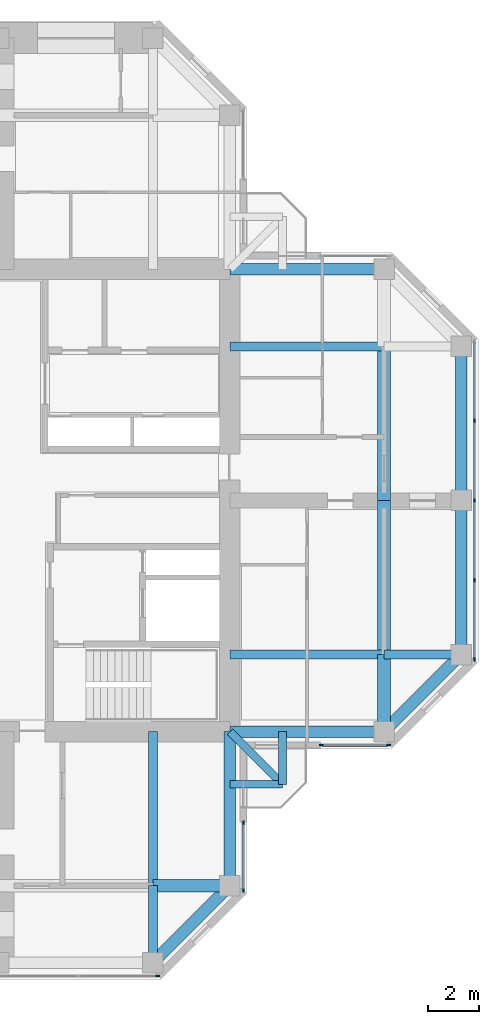
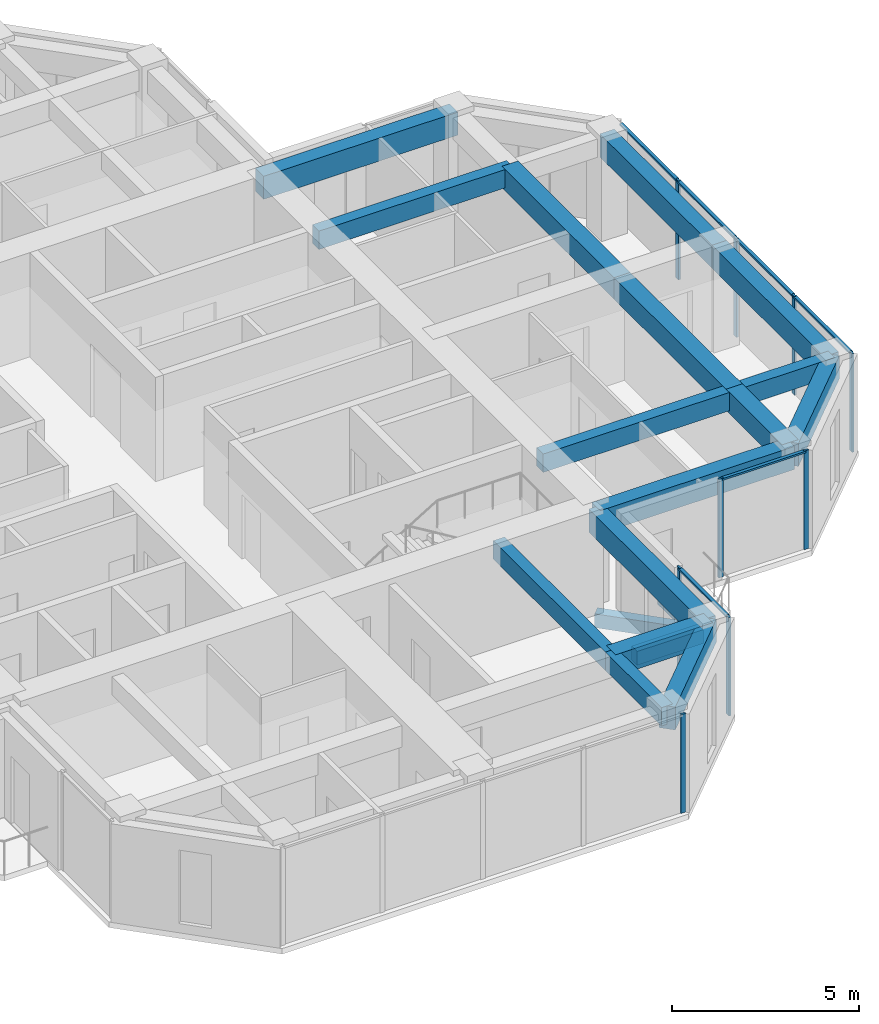
# One storey, part 5 of 13: 19 beams, 15 members, 4 elements without a shape of their own.
"""IFC4 building model written with IfcOpenShell, lengths in metres."""

from ifc_helpers import new_model, si_unit, direction, frame, origin, origin_2d, place, context, subcontext, project, spatial, rectangle, extrude, material, material_profile, profile_set, type_object, element, aggregate, save


model = new_model("IFC4")

# Units and contexts
model_context = context("Model", 3, precision=1e-05, world=origin(), true_north=direction((0.0, 1.0)))
body_context = subcontext(model_context, "Body", "Model", "MODEL_VIEW")
ifc_project = project(units=[si_unit("LENGTHUNIT", "METRE"), si_unit("AREAUNIT", "SQUARE_METRE"), si_unit("VOLUMEUNIT", "CUBIC_METRE"), si_unit("PLANEANGLEUNIT", "RADIAN"), si_unit("MASSUNIT", "GRAM", prefix="KILO")], contexts=[model_context])

# Site, building, storey
site_placement = place(None, origin())
site = spatial("IfcSite", under=ifc_project, at=site_placement, CompositionType="ELEMENT")
building_placement = place(site_placement, origin())
building = spatial("IfcBuilding", under=site, at=building_placement, Name="Torre Cruceta", CompositionType="ELEMENT")
storey_placement = place(building_placement, frame((0.0, 0.0, 242.5)))
storey = spatial("IfcBuildingStorey", under=building, at=storey_placement, Name="L62", CompositionType="ELEMENT", Elevation=242.5)

# Beams
ifc_material_1 = material(Name="Concrete G60 (fck 60 MPa)", Category="concrete")
ifc_material_profile_1 = material_profile(ifc_material_1, rectangle(XDim=0.300048828125, YDim=0.449951171875, at=origin_2d()), Name="RC 300X450")
ifc_profile_set_1 = profile_set([ifc_material_profile_1], Name="Concrete G60 (fck 60 MPa)")
beam_type_1 = type_object("IfcBeamType", Name="BALCONY CANTILEVER BEAM RC 300X450", PredefinedType="BEAM", material=ifc_profile_set_1)
beam_1_placement = place(storey_placement, frame((9.0, -9.0, -0.405029296875), z_axis=(0.707106781187, -0.707106781187, 0.0), x_axis=(0.707106781187, 0.707106781187, 0.0)))
element("IfcBeam", 1, at=beam_1_placement, inside=storey, type_object=beam_type_1, Name="BB1 balcony beam L62 S", PredefinedType="BEAM", context=body_context, shape_type="SweptSolid", body=[
    extrude(rectangle(XDim=0.300048828125, YDim=0.449951171875, at=origin_2d()), origin(), (0.0, 0.0, 1.0), 2.89990234375),
])
for number, where, z_axis, x_axis, name in (
    (2, (11.050537109375, -9.0, -0.405029296875), (0.0, -1.0, 0.0), (1.0, 0.0, 0.0), "BB1 balcony edge beam L62 S-X"),
    (3, (9.0, -11.050537109375, -0.405029296875), (1.0, 0.0, 0.0), (0.0, 1.0, 0.0), "BB1 balcony edge beam L62 S-Y"),
):
    element("IfcBeam", number, at=place(storey_placement, frame(where, z_axis=z_axis, x_axis=x_axis)), inside=storey, type_object=beam_type_1, Name=name, PredefinedType="BEAM", context=body_context, shape_type="SweptSolid", body=[
        extrude(rectangle(XDim=0.300048828125, YDim=0.449951171875, at=origin_2d()), origin(), (0.0, 0.0, 1.0), 2.050537109375),
    ])
ifc_material_2 = material(Name="Concrete G60 (fck 60 MPa)", Category="concrete")
ifc_material_profile_2 = material_profile(ifc_material_2, rectangle(XDim=0.35009765625, YDim=0.60009765625, at=origin_2d()), Name="RC 350X600")
ifc_profile_set_2 = profile_set([ifc_material_profile_2], Name="Concrete G60 (fck 60 MPa)")
beam_type_2 = type_object("IfcBeamType", Name="COLUMN LINE BEAM RC 350X600", PredefinedType="BEAM", material=ifc_profile_set_2)
beam_2_placement = place(storey_placement, frame((9.0, -6.0, 2.919921875), z_axis=(1.0, 0.0, 0.0), x_axis=(0.0, 1.0, 0.0)))
element("IfcBeam", 4, at=beam_2_placement, inside=storey, type_object=beam_type_2, Name="LB9 L62 E col- 1", PredefinedType="BEAM", context=body_context, shape_type="SweptSolid", body=[
    extrude(rectangle(XDim=0.35009765625, YDim=0.60009765625, at=origin_2d()), origin(), (0.0, 0.0, 1.0), 6.0),
])
beam_3_placement = place(storey_placement, frame((15.0, -6.0, 2.919921875), z_axis=(1.0, 0.0, 0.0), x_axis=(0.0, 1.0, 0.0)))
element("IfcBeam", 5, at=beam_3_placement, inside=storey, type_object=beam_type_2, Name="LB9 L62 E col- 2", PredefinedType="BEAM", context=body_context, shape_type="SweptSolid", body=[
    extrude(rectangle(XDim=0.35009765625, YDim=0.60009765625, at=origin_2d()), origin(), (0.0, 0.0, 1.0), 3.0),
])
for number, where, z_axis, x_axis, name in (
    (6, (9.0, 6.0, 2.919921875), (1.0, 0.0, 0.0), (0.0, 1.0, 0.0), "LB9 L62 E col+ 1"),
    (7, (6.0, -9.0, 2.919921875), (0.0, -1.0, 0.0), (1.0, 0.0, 0.0), "LB9 L62 S col+ 1"),
):
    element("IfcBeam", number, at=place(storey_placement, frame(where, z_axis=z_axis, x_axis=x_axis)), inside=storey, type_object=beam_type_2, Name=name, PredefinedType="BEAM", context=body_context, shape_type="SweptSolid", body=[
        extrude(rectangle(XDim=0.35009765625, YDim=0.60009765625, at=origin_2d()), origin(), (0.0, 0.0, 1.0), 6.0),
    ])
beam_4_placement = place(storey_placement, frame((6.0, -15.0, 2.919921875), z_axis=(0.0, -1.0, 0.0), x_axis=(1.0, 0.0, 0.0)))
element("IfcBeam", 8, at=beam_4_placement, inside=storey, type_object=beam_type_2, Name="LB9 L62 S col+ 2", PredefinedType="BEAM", context=body_context, shape_type="SweptSolid", body=[
    extrude(rectangle(XDim=0.35009765625, YDim=0.60009765625, at=origin_2d()), origin(), (0.0, 0.0, 1.0), 3.0),
])
ifc_material_3 = material(Name="Concrete G60 (fck 60 MPa)", Category="concrete")
ifc_material_profile_3 = material_profile(ifc_material_3, rectangle(XDim=0.5, YDim=0.699951171875, at=origin_2d()), Name="RC 500X700")
ifc_profile_set_3 = profile_set([ifc_material_profile_3], Name="Concrete G60 (fck 60 MPa)")
beam_type_3 = type_object("IfcBeamType", Name="CROSS BEAM RC 500X700", PredefinedType="BEAM", material=ifc_profile_set_3)
beam_5_placement = place(storey_placement, frame((15.0, -9.0, 2.8701171875), z_axis=(0.0, 1.0, 0.0), x_axis=(-1.0, 0.0, 0.0)))
element("IfcBeam", 9, at=beam_5_placement, inside=storey, type_object=beam_type_3, Name="GB7 L62 E cross15 1", PredefinedType="BEAM", context=body_context, shape_type="SweptSolid", body=[
    extrude(rectangle(XDim=0.5, YDim=0.699951171875, at=origin_2d()), origin(), (0.0, 0.0, 1.0), 3.0),
])
for number, where, z_axis, x_axis, name in (
    (10, (15.0, -6.0, 2.8701171875), (0.0, 1.0, 0.0), (-1.0, 0.0, 0.0), "GB7 L62 E cross15 2"),
    (11, (15.0, 0.0, 2.8701171875), (0.0, 1.0, 0.0), (-1.0, 0.0, 0.0), "GB7 L62 E cross15 3"),
):
    element("IfcBeam", number, at=place(storey_placement, frame(where, z_axis=z_axis, x_axis=x_axis)), inside=storey, type_object=beam_type_3, Name=name, PredefinedType="BEAM", context=body_context, shape_type="SweptSolid", body=[
        extrude(rectangle(XDim=0.5, YDim=0.699951171875, at=origin_2d()), origin(), (0.0, 0.0, 1.0), 6.0),
    ])
beam_6_placement = place(storey_placement, frame((6.0, -15.0, 2.8701171875), z_axis=(1.0, 0.0, 0.0), x_axis=(0.0, 1.0, 0.0)))
element("IfcBeam", 12, at=beam_6_placement, inside=storey, type_object=beam_type_3, Name="GB7 L62 S cross15 4", PredefinedType="BEAM", context=body_context, shape_type="SweptSolid", body=[
    extrude(rectangle(XDim=0.5, YDim=0.699951171875, at=origin_2d()), origin(), (0.0, 0.0, 1.0), 3.0),
])

# Curtain wall, members
ifc_material_4 = material(Name="Aluminium unitised curtain wall", Category="aluminium")
curtain_wall_type = type_object("IfcCurtainWallType", Name="CURTAIN WALL CW-D CO-LIVING UPPER", PredefinedType="USERDEFINED", material=ifc_material_4)
curtain_wall_1_placement = place(storey_placement, origin())
curtain_wall_1 = element("IfcCurtainWall", 13, at=curtain_wall_1_placement, inside=storey, type_object=curtain_wall_type, Name="CW-D L62 E side 00", ObjectType="UNITISED", PredefinedType="USERDEFINED")
ifc_material_5 = material(Name="Aluminium mullion", Category="aluminium")
ifc_material_profile_4 = material_profile(ifc_material_5, rectangle(XDim=0.06005859375, YDim=0.14990234375, at=origin_2d()), Name="AL 60X150")
ifc_profile_set_4 = profile_set([ifc_material_profile_4], Name="Aluminium mullion")
member_type_1 = type_object("IfcMemberType", Name="CW-D MULLION 60X150", PredefinedType="MULLION", material=ifc_profile_set_4)
member_1_placement = place(storey_placement, frame((12.550048828125, -9.52001953125, 0.0), z_axis=(0.0, 0.0, 1.0), x_axis=(0.0, 1.0, 0.0)))
member_1 = element("IfcMember", 14, at=member_1_placement, type_object=member_type_1, Name="CW-D mullion 1", PredefinedType="MULLION", context=body_context, shape_type="SweptSolid", body=[
    extrude(rectangle(XDim=0.06005859375, YDim=0.14990234375, at=origin_2d()), origin(), (0.0, 0.0, 1.0), 3.219970703125),
])
member_2_placement = place(storey_placement, frame((15.185302734375, -9.52001953125, 0.0), z_axis=(0.0, 0.0, 1.0), x_axis=(0.0, 1.0, 0.0)))
member_2 = element("IfcMember", 15, at=member_2_placement, type_object=member_type_1, Name="CW-D mullion 2", PredefinedType="MULLION", context=body_context, shape_type="SweptSolid", body=[
    extrude(rectangle(XDim=0.06005859375, YDim=0.14990234375, at=origin_2d()), origin(), (0.0, 0.0, 1.0), 3.219970703125),
])

curtain_wall_2_placement = place(storey_placement, origin())
curtain_wall_2 = element("IfcCurtainWall", 16, at=curtain_wall_2_placement, inside=storey, type_object=curtain_wall_type, Name="CW-D L62 E tip 02", ObjectType="UNITISED", PredefinedType="USERDEFINED")
member_3_placement = place(storey_placement, frame((18.52001953125, -6.185302734375, 0.0), z_axis=(0.0, 0.0, 1.0), x_axis=(-1.0, 0.0, 0.0)))
member_3 = element("IfcMember", 17, at=member_3_placement, type_object=member_type_1, Name="CW-D mullion 1", PredefinedType="MULLION", context=body_context, shape_type="SweptSolid", body=[
    extrude(rectangle(XDim=0.06005859375, YDim=0.14990234375, at=origin_2d()), origin(), (0.0, 0.0, 1.0), 3.219970703125),
])
member_4_placement = place(storey_placement, frame((18.52001953125, -3.107666015625, 0.0), z_axis=(0.0, 0.0, 1.0), x_axis=(-1.0, 0.0, 0.0)))
member_4 = element("IfcMember", 18, at=member_4_placement, type_object=member_type_1, Name="CW-D mullion 2", PredefinedType="MULLION", context=body_context, shape_type="SweptSolid", body=[
    extrude(rectangle(XDim=0.06005859375, YDim=0.14990234375, at=origin_2d()), origin(), (0.0, 0.0, 1.0), 3.219970703125),
])
member_5_placement = place(storey_placement, frame((18.52001953125, 0.0, 0.0), z_axis=(0.0, 0.0, 1.0), x_axis=(-1.0, 0.0, 0.0)))
member_5 = element("IfcMember", 19, at=member_5_placement, type_object=member_type_1, Name="CW-D mullion 3", PredefinedType="MULLION", context=body_context, shape_type="SweptSolid", body=[
    extrude(rectangle(XDim=0.06005859375, YDim=0.14990234375, at=origin_2d()), origin(), (0.0, 0.0, 1.0), 3.219970703125),
])
member_6_placement = place(storey_placement, frame((18.52001953125, 3.107666015625, 0.0), z_axis=(0.0, 0.0, 1.0), x_axis=(-1.0, 0.0, 0.0)))
member_6 = element("IfcMember", 20, at=member_6_placement, type_object=member_type_1, Name="CW-D mullion 4", PredefinedType="MULLION", context=body_context, shape_type="SweptSolid", body=[
    extrude(rectangle(XDim=0.06005859375, YDim=0.14990234375, at=origin_2d()), origin(), (0.0, 0.0, 1.0), 3.219970703125),
])

# Curtain wall, member
curtain_wall_3_placement = place(storey_placement, origin())
curtain_wall_3 = element("IfcCurtainWall", 21, at=curtain_wall_3_placement, inside=storey, type_object=curtain_wall_type, Name="CW-D L62 S tip 17", ObjectType="UNITISED", PredefinedType="USERDEFINED")
member_7_placement = place(storey_placement, frame((6.185302734375, -18.52001953125, 0.0), z_axis=(0.0, 0.0, 1.0), x_axis=(0.0, 1.0, 0.0)))
member_7 = element("IfcMember", 22, at=member_7_placement, type_object=member_type_1, Name="CW-D mullion 5", PredefinedType="MULLION", context=body_context, shape_type="SweptSolid", body=[
    extrude(rectangle(XDim=0.06005859375, YDim=0.14990234375, at=origin_2d()), origin(), (0.0, 0.0, 1.0), 3.219970703125),
])
aggregate(curtain_wall_3, [member_7])

# Curtain wall, members
curtain_wall_4_placement = place(storey_placement, origin())
curtain_wall_4 = element("IfcCurtainWall", 23, at=curtain_wall_4_placement, inside=storey, type_object=curtain_wall_type, Name="CW-D L62 S side 19", ObjectType="UNITISED", PredefinedType="USERDEFINED")
member_8_placement = place(storey_placement, frame((9.52001953125, -15.185302734375, 0.0), z_axis=(0.0, 0.0, 1.0), x_axis=(-1.0, 0.0, 0.0)))
member_8 = element("IfcMember", 24, at=member_8_placement, type_object=member_type_1, Name="CW-D mullion 1", PredefinedType="MULLION", context=body_context, shape_type="SweptSolid", body=[
    extrude(rectangle(XDim=0.06005859375, YDim=0.14990234375, at=origin_2d()), origin(), (0.0, 0.0, 1.0), 3.219970703125),
])
member_9_placement = place(storey_placement, frame((9.52001953125, -12.550048828125, 0.0), z_axis=(0.0, 0.0, 1.0), x_axis=(-1.0, 0.0, 0.0)))
member_9 = element("IfcMember", 25, at=member_9_placement, type_object=member_type_1, Name="CW-D mullion 2", PredefinedType="MULLION", context=body_context, shape_type="SweptSolid", body=[
    extrude(rectangle(XDim=0.06005859375, YDim=0.14990234375, at=origin_2d()), origin(), (0.0, 0.0, 1.0), 3.219970703125),
])

# Member
ifc_material_6 = material(Name="Aluminium transom", Category="aluminium")
ifc_material_profile_5 = material_profile(ifc_material_6, rectangle(XDim=0.10009765625, YDim=0.06005859375, at=origin_2d()), Name="AL 100X60")
ifc_profile_set_5 = profile_set([ifc_material_profile_5], Name="Aluminium transom")
member_type_2 = type_object("IfcMemberType", Name="CW-D TRANSOM 60X100", PredefinedType="USERDEFINED", material=ifc_profile_set_5)
member_10_placement = place(storey_placement, frame((12.580078125, -9.52001953125, 3.18994140625), z_axis=(1.0, 0.0, 0.0), x_axis=(0.0, 1.0, 0.0)))
member_10 = element("IfcMember", 26, at=member_10_placement, type_object=member_type_2, Name="CW-D transom 1", ObjectType="TRANSOM", PredefinedType="USERDEFINED", context=body_context, shape_type="SweptSolid", body=[
    extrude(rectangle(XDim=0.10009765625, YDim=0.06005859375, at=origin_2d()), origin(), (0.0, 0.0, 1.0), 2.5751953125),
])

aggregate(curtain_wall_1, [member_1, member_2, member_10])

member_11_placement = place(storey_placement, frame((18.52001953125, -6.1552734375, 3.18994140625), z_axis=(0.0, 1.0, 0.0), x_axis=(-1.0, 0.0, 0.0)))
member_11 = element("IfcMember", 27, at=member_11_placement, type_object=member_type_2, Name="CW-D transom 1", ObjectType="TRANSOM", PredefinedType="USERDEFINED", context=body_context, shape_type="SweptSolid", body=[
    extrude(rectangle(XDim=0.10009765625, YDim=0.06005859375, at=origin_2d()), origin(), (0.0, 0.0, 1.0), 3.017578125),
])

member_12_placement = place(storey_placement, frame((18.52001953125, -3.07763671875, 3.18994140625), z_axis=(0.0, 1.0, 0.0), x_axis=(-1.0, 0.0, 0.0)))
member_12 = element("IfcMember", 28, at=member_12_placement, type_object=member_type_2, Name="CW-D transom 2", ObjectType="TRANSOM", PredefinedType="USERDEFINED", context=body_context, shape_type="SweptSolid", body=[
    extrude(rectangle(XDim=0.10009765625, YDim=0.06005859375, at=origin_2d()), origin(), (0.0, 0.0, 1.0), 3.047607421875),
])

member_13_placement = place(storey_placement, frame((18.52001953125, 0.030029296875, 3.18994140625), z_axis=(0.0, 1.0, 0.0), x_axis=(-1.0, 0.0, 0.0)))
member_13 = element("IfcMember", 29, at=member_13_placement, type_object=member_type_2, Name="CW-D transom 3", ObjectType="TRANSOM", PredefinedType="USERDEFINED", context=body_context, shape_type="SweptSolid", body=[
    extrude(rectangle(XDim=0.10009765625, YDim=0.06005859375, at=origin_2d()), origin(), (0.0, 0.0, 1.0), 3.047607421875),
])

member_14_placement = place(storey_placement, frame((18.52001953125, 3.1376953125, 3.18994140625), z_axis=(0.0, 1.0, 0.0), x_axis=(-1.0, 0.0, 0.0)))
member_14 = element("IfcMember", 30, at=member_14_placement, type_object=member_type_2, Name="CW-D transom 4", ObjectType="TRANSOM", PredefinedType="USERDEFINED", context=body_context, shape_type="SweptSolid", body=[
    extrude(rectangle(XDim=0.10009765625, YDim=0.06005859375, at=origin_2d()), origin(), (0.0, 0.0, 1.0), 3.017578125),
])

aggregate(curtain_wall_2, [member_3, member_4, member_5, member_6, member_11, member_12, member_13, member_14])

member_15_placement = place(storey_placement, frame((9.52001953125, -15.1552734375, 3.18994140625), z_axis=(0.0, 1.0, 0.0), x_axis=(-1.0, 0.0, 0.0)))
member_15 = element("IfcMember", 31, at=member_15_placement, type_object=member_type_2, Name="CW-D transom 1", ObjectType="TRANSOM", PredefinedType="USERDEFINED", context=body_context, shape_type="SweptSolid", body=[
    extrude(rectangle(XDim=0.10009765625, YDim=0.06005859375, at=origin_2d()), origin(), (0.0, 0.0, 1.0), 2.5751953125),
])

aggregate(curtain_wall_4, [member_8, member_9, member_15])

# Beams
ifc_material_7 = material(Name="Concrete G60 (fck 60 MPa)", Category="concrete")
ifc_material_profile_6 = material_profile(ifc_material_7, rectangle(XDim=0.449951171875, YDim=0.75, at=origin_2d()), Name="RC 450X750")
ifc_profile_set_6 = profile_set([ifc_material_profile_6], Name="Concrete G60 (fck 60 MPa)")
beam_type_4 = type_object("IfcBeamType", Name="SPANDREL BEAM RC 450X750", PredefinedType="SPANDREL", material=ifc_profile_set_6)
beam_7_placement = place(storey_placement, frame((9.0, -9.0, 2.844970703125), z_axis=(1.0, 0.0, 0.0), x_axis=(0.0, 1.0, 0.0)))
element("IfcBeam", 32, at=beam_7_placement, inside=storey, type_object=beam_type_4, Name="SB7 L62 E side- 1", PredefinedType="SPANDREL", context=body_context, shape_type="SweptSolid", body=[
    extrude(rectangle(XDim=0.449951171875, YDim=0.75, at=origin_2d()), origin(), (0.0, 0.0, 1.0), 6.0),
])
beam_8_placement = place(storey_placement, frame((15.0, -9.0, 2.844970703125), z_axis=(0.707106781187, 0.707106781187, 0.0), x_axis=(-0.707106781187, 0.707106781187, 0.0)))
element("IfcBeam", 33, at=beam_8_placement, inside=storey, type_object=beam_type_4, Name="SB7 L62 E side- 2", PredefinedType="SPANDREL", context=body_context, shape_type="SweptSolid", body=[
    extrude(rectangle(XDim=0.449951171875, YDim=0.75, at=origin_2d()), origin(), (0.0, 0.0, 1.0), 4.24267578125),
])
for number, where, z_axis, x_axis, name in (
    (34, (9.0, 9.0, 2.844970703125), (1.0, 0.0, 0.0), (0.0, 1.0, 0.0), "SB7 L62 E side+ 1"),
    (35, (18.0, -6.0, 2.844970703125), (0.0, 1.0, 0.0), (-1.0, 0.0, 0.0), "SB7 L62 E tip 1"),
    (36, (18.0, 0.0, 2.844970703125), (0.0, 1.0, 0.0), (-1.0, 0.0, 0.0), "SB7 L62 E tip 2"),
    (37, (9.0, -9.0, 2.844970703125), (0.0, -1.0, 0.0), (1.0, 0.0, 0.0), "SB7 L62 S side+ 1"),
):
    element("IfcBeam", number, at=place(storey_placement, frame(where, z_axis=z_axis, x_axis=x_axis)), inside=storey, type_object=beam_type_4, Name=name, PredefinedType="SPANDREL", context=body_context, shape_type="SweptSolid", body=[
        extrude(rectangle(XDim=0.449951171875, YDim=0.75, at=origin_2d()), origin(), (0.0, 0.0, 1.0), 6.0),
    ])
beam_9_placement = place(storey_placement, frame((9.0, -15.0, 2.844970703125), z_axis=(-0.707106781187, -0.707106781187, 0.0), x_axis=(0.707106781187, -0.707106781187, 0.0)))
element("IfcBeam", 38, at=beam_9_placement, inside=storey, type_object=beam_type_4, Name="SB7 L62 S side+ 2", PredefinedType="SPANDREL", context=body_context, shape_type="SweptSolid", body=[
    extrude(rectangle(XDim=0.449951171875, YDim=0.75, at=origin_2d()), origin(), (0.0, 0.0, 1.0), 4.24267578125),
])

save(model, "model.ifc")
